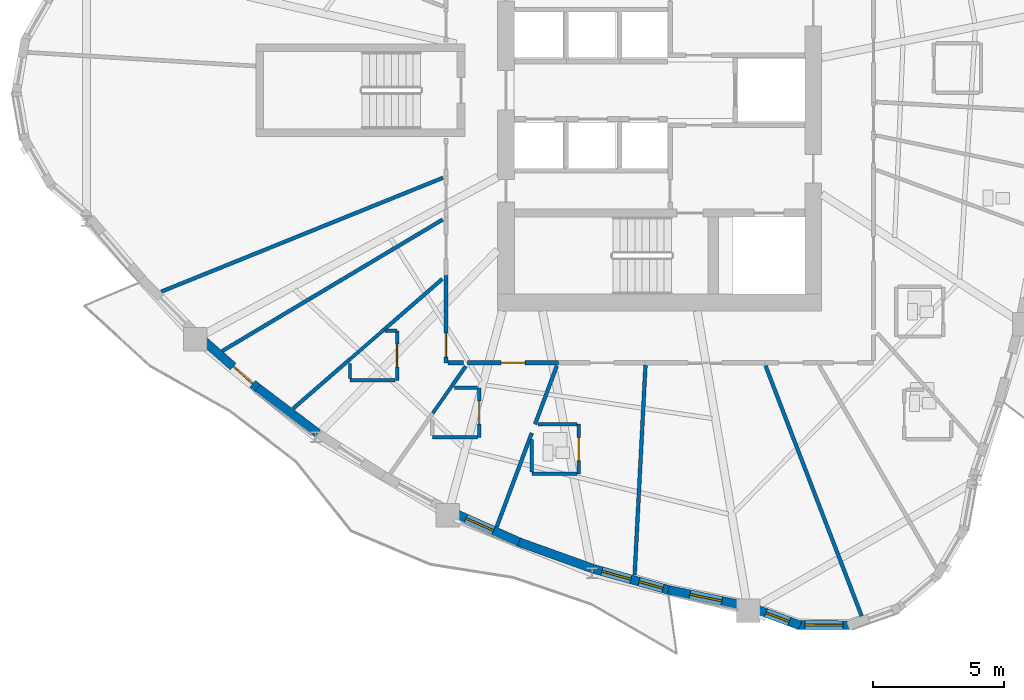
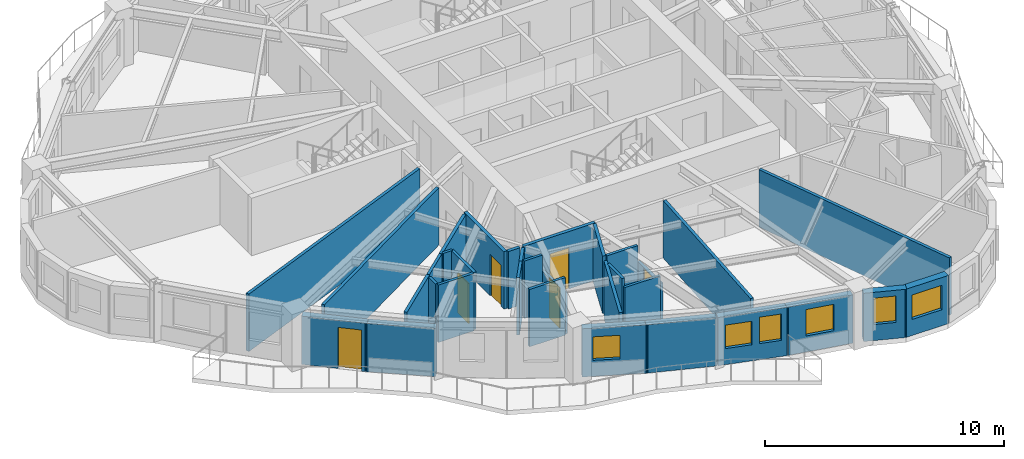
# One storey, part 3 of 13: 33 walls, 6 doors, 6 windows, 12 openings.
"""IFC4 building model written with IfcOpenShell, lengths in metres."""

from ifc_helpers import new_model, si_unit, direction, frame, frame_2d, origin, place, context, subcontext, project, spatial, rectangle, extrude, source, transform, mapped, material, layer, layer_set, type_object, element, fill, save


model = new_model("IFC4")

# Units and contexts
model_context = context("Model", 3, precision=1e-05, world=origin(), true_north=direction((0.0, 1.0)))
body_context = subcontext(model_context, "Body", "Model", "MODEL_VIEW")
ifc_project = project(units=[si_unit("LENGTHUNIT", "METRE"), si_unit("AREAUNIT", "SQUARE_METRE"), si_unit("VOLUMEUNIT", "CUBIC_METRE"), si_unit("PLANEANGLEUNIT", "RADIAN"), si_unit("MASSUNIT", "GRAM", prefix="KILO")], contexts=[model_context])

# Site, building, storey
site_placement = place(None, origin())
site = spatial("IfcSite", under=ifc_project, at=site_placement, CompositionType="ELEMENT")
building_placement = place(site_placement, origin())
building = spatial("IfcBuilding", under=site, at=building_placement, Name="Qafzar Sky-Pleat Residences", CompositionType="ELEMENT")
storey_placement = place(building_placement, frame((0.0, 0.0, 105.60009765625)))
storey = spatial("IfcBuildingStorey", under=building, at=storey_placement, Name="L31", CompositionType="ELEMENT", Elevation=105.60009765625)

# Wall, opening, door
ifc_material_1 = material(Name="Acoustic gypsum plasterboard partition", Category="gypsum")
ifc_layer_1 = layer(ifc_material_1, 0.159912109375)
ifc_layer_set_1 = layer_set([ifc_layer_1], Name="Acoustic gypsum plasterboard partition")
wall_type_1 = type_object("IfcWallType", Name="PART-COR-160", PredefinedType="PARTITIONING", material=ifc_layer_set_1)
wall_1_placement = place(storey_placement, frame((26.472900390625, 15.570068359375, 0.0), z_axis=(0.0, 0.0, 1.0), x_axis=(-1.0, 0.0, 0.0)))
wall_1 = element("IfcWall", 1, at=wall_1_placement, inside=storey, type_object=wall_type_1, Name="L31 Partition Wall PART-L31-PW-008", PredefinedType="PARTITIONING", context=body_context, shape_type="SweptSolid", body=[
    extrude(rectangle(XDim=3.469970703125, YDim=0.159912109375, at=frame_2d((1.73486328125, 0.0))), origin(), (0.0, 0.0, 1.0), 2.934814453125),
])
opening_1_placement = place(wall_1_placement, frame((1.27392578125, 0.0, 0.0)))
opening_1 = element("IfcOpeningElement", 2, at=opening_1_placement, cuts=wall_1, Name="Opening ID-04", PredefinedType="OPENING", context=body_context, shape_type="SweptSolid", body=[
    extrude(rectangle(XDim=0.919921875, YDim=2.10009765625, at=frame_2d((0.4599609375, 1.050048828125))), frame((0.0, 0.08984375, 0.0), z_axis=(0.0, -1.0, 0.0), x_axis=(1.0, 0.0, 0.0)), (0.0, 0.0, 1.0), 0.179931640625),
])
ifc_material_2 = material(Name="Timber-faced fire door", Category="wood")
door_type_1 = type_object("IfcDoorType", Name="DR-BED-920", OperationType="NOTDEFINED", PredefinedType="DOOR", material=ifc_material_2)
shared_shape_1 = source(origin(), body_context, "Body", "SweptSolid", [
    extrude(rectangle(XDim=0.919921875, YDim=2.10009765625, at=frame_2d((0.4599609375, 1.050048828125))), frame((0.0, 0.02490234375, 0.0), z_axis=(0.0, -1.0, 0.0), x_axis=(1.0, 0.0, 0.0)), (0.0, 0.0, 1.0), 0.050048828125),
])
door_1_placement = place(opening_1_placement, origin())
door_1 = element("IfcDoor", 3, at=door_1_placement, inside=storey, type_object=door_type_1, Name="L31 Co-Living Bedroom 14 Door", OperationType="SINGLE_SWING_LEFT", OverallHeight=2.10009765625, OverallWidth=0.919921875, PredefinedType="DOOR", context=body_context, shape_type="MappedRepresentation", body=[
    mapped(shared_shape_1, transform((0.0, 0.0, 0.0), x_axis=(1.0, 0.0, 0.0), y_axis=(0.0, 1.0, 0.0), z_axis=(0.0, 0.0, 1.0), scale=1.0)),
])
fill(opening_1, door_1)

wall_2_placement = place(storey_placement, frame((22.169921875, 15.570068359375, 0.0), z_axis=(0.0, 0.0, 1.0), x_axis=(0.0, 1.0, 0.0)))
wall_2 = element("IfcWall", 4, at=wall_2_placement, inside=storey, type_object=wall_type_1, Name="L31 Partition Wall PART-L31-PW-009", PredefinedType="PARTITIONING", context=body_context, shape_type="SweptSolid", body=[
    extrude(rectangle(XDim=3.345947265625, YDim=0.159912109375, at=frame_2d((1.6728515625, 0.0))), origin(), (0.0, 0.0, 1.0), 2.934814453125),
])
opening_2_placement = place(wall_2_placement, frame((0.219970703125, 0.0, 0.0)))
opening_2 = element("IfcOpeningElement", 5, at=opening_2_placement, cuts=wall_2, Name="Opening ID-04", PredefinedType="OPENING", context=body_context, shape_type="SweptSolid", body=[
    extrude(rectangle(XDim=0.919921875, YDim=2.10009765625, at=frame_2d((0.4599609375, 1.050048828125))), frame((0.0, 0.08984375, 0.0), z_axis=(0.0, -1.0, 0.0), x_axis=(1.0, 0.0, 0.0)), (0.0, 0.0, 1.0), 0.179931640625),
])
door_2_placement = place(opening_2_placement, origin())
door_2 = element("IfcDoor", 6, at=door_2_placement, inside=storey, type_object=door_type_1, Name="L31 Co-Living Bedroom 13 Door", OperationType="SINGLE_SWING_RIGHT", OverallHeight=2.10009765625, OverallWidth=0.919921875, PredefinedType="DOOR", context=body_context, shape_type="MappedRepresentation", body=[
    mapped(shared_shape_1, transform((0.0, 0.0, 0.0), x_axis=(1.0, 0.0, 0.0), y_axis=(0.0, 1.0, 0.0), z_axis=(0.0, 0.0, 1.0), scale=1.0)),
])
fill(opening_2, door_2)

# Walls
wall_3_placement = place(storey_placement, frame((22.258056640625, 15.570068359375, 0.0), z_axis=(0.0, 0.0, 1.0), x_axis=(1.0, 0.0, 0.0)))
element("IfcWall", 7, at=wall_3_placement, inside=storey, type_object=wall_type_1, Name="L31 Partition Wall PART-L31-PW-086", PredefinedType="PARTITIONING", context=body_context, shape_type="SweptSolid", body=[
    extrude(rectangle(XDim=0.5771484375, YDim=0.159912109375, at=frame_2d((0.28857421875, 0.0))), origin(), (0.0, 0.0, 1.0), 2.934814453125),
])
ifc_layer_2 = layer(ifc_material_1, 0.14501953125)
ifc_layer_set_2 = layer_set([ifc_layer_2], Name="Acoustic gypsum plasterboard partition")
wall_type_2 = type_object("IfcWallType", Name="PART-UNIT-145", PredefinedType="PARTITIONING", material=ifc_layer_set_2)
wall_4_placement = place(storey_placement, frame((11.2802734375, 18.293701171875, 0.0), z_axis=(0.0, 0.0, 1.0), x_axis=(0.927137862507, 0.374720407645, 0.0)))
element("IfcWall", 8, at=wall_4_placement, inside=storey, type_object=wall_type_2, Name="L31 Partition Wall PART-L31-PW-032", PredefinedType="PARTITIONING", context=body_context, shape_type="SweptSolid", body=[
    extrude(rectangle(XDim=11.621826171875, YDim=0.14501953125, at=frame_2d((5.81103515625, 0.0))), origin(), (0.0, 0.0, 1.0), 2.934814453125),
])
wall_5_placement = place(storey_placement, frame((34.399658203125, 15.45654296875, 0.0), z_axis=(0.0, 0.0, 1.0), x_axis=(0.358586620169, -0.933496457324, 0.0)))
element("IfcWall", 9, at=wall_5_placement, inside=storey, type_object=wall_type_2, Name="L31 Partition Wall PART-L31-PW-034", PredefinedType="PARTITIONING", context=body_context, shape_type="SweptSolid", body=[
    extrude(rectangle(XDim=10.255615234375, YDim=0.14501953125, at=frame_2d((5.1279296875, 0.0))), origin(), (0.0, 0.0, 1.0), 2.934814453125),
])
wall_6_placement = place(storey_placement, frame((13.621826171875, 16.0283203125, 0.0), z_axis=(0.0, 0.0, 1.0), x_axis=(0.85896108151, 0.512040877716, 0.0)))
element("IfcWall", 10, at=wall_6_placement, inside=storey, type_object=wall_type_2, Name="L31 Partition Wall PART-L31-PW-035", PredefinedType="PARTITIONING", context=body_context, shape_type="SweptSolid", body=[
    extrude(rectangle(XDim=9.807373046875, YDim=0.14501953125, at=frame_2d((4.90380859375, 0.0))), origin(), (0.0, 0.0, 1.0), 2.934814453125),
])
wall_7_placement = place(storey_placement, frame((29.390869140625, 7.4482421875, 0.0), z_axis=(0.0, 0.0, 1.0), x_axis=(0.051677535725, 0.998663823467, 0.0)))
element("IfcWall", 11, at=wall_7_placement, inside=storey, type_object=wall_type_2, Name="L31 Partition Wall PART-L31-PW-040", PredefinedType="PARTITIONING", context=body_context, shape_type="SweptSolid", body=[
    extrude(rectangle(XDim=8.040771484375, YDim=0.14501953125, at=frame_2d((4.0205078125, 0.0))), origin(), (0.0, 0.0, 1.0), 2.934814453125),
])
wall_8_placement = place(storey_placement, frame((24.114990234375, 9.294189453125, 0.0), z_axis=(0.0, 0.0, 1.0), x_axis=(0.349559649022, 0.936914111205, 0.0)))
element("IfcWall", 12, at=wall_8_placement, inside=storey, type_object=wall_type_2, Name="L31 Partition Wall PART-L31-PW-049", PredefinedType="PARTITIONING", context=body_context, shape_type="SweptSolid", body=[
    extrude(rectangle(XDim=3.833740234375, YDim=0.14501953125, at=frame_2d((1.9169921875, 0.0))), origin(), (0.0, 0.0, 1.0), 2.934814453125),
])
wall_9_placement = place(storey_placement, frame((19.736083984375, 16.781982421875, 0.0), z_axis=(0.0, 0.0, 1.0), x_axis=(0.754964216329, 0.655765988796, 0.0)))
element("IfcWall", 13, at=wall_9_placement, inside=storey, type_object=wall_type_2, Name="L31 Partition Wall PART-L31-PW-050", PredefinedType="PARTITIONING", context=body_context, shape_type="SweptSolid", body=[
    extrude(rectangle(XDim=3.046875, YDim=0.14501953125, at=frame_2d((1.5234375, 0.0))), origin(), (0.0, 0.0, 1.0), 2.934814453125),
])
wall_10_placement = place(storey_placement, frame((16.330322265625, 13.823974609375, 0.0), z_axis=(0.0, 0.0, 1.0), x_axis=(0.754843145593, 0.655905348013, 0.0)))
element("IfcWall", 14, at=wall_10_placement, inside=storey, type_object=wall_type_2, Name="L31 Partition Wall PART-L31-PW-053", PredefinedType="PARTITIONING", context=body_context, shape_type="SweptSolid", body=[
    extrude(rectangle(XDim=2.89697265625, YDim=0.14501953125, at=frame_2d((1.448486328125, 0.0))), origin(), (0.0, 0.0, 1.0), 2.934814453125),
])
wall_11_placement = place(storey_placement, frame((25.5810546875, 13.222900390625, 0.0), z_axis=(0.0, 0.0, 1.0), x_axis=(0.349597225683, 0.936900090615, 0.0)))
element("IfcWall", 15, at=wall_11_placement, inside=storey, type_object=wall_type_2, Name="L31 Partition Wall PART-L31-PW-055", PredefinedType="PARTITIONING", context=body_context, shape_type="SweptSolid", body=[
    extrude(rectangle(XDim=2.384765625, YDim=0.14501953125, at=frame_2d((1.1923828125, 0.0))), origin(), (0.0, 0.0, 1.0), 2.934814453125),
])
wall_12_placement = place(storey_placement, frame((22.36962890625, 14.643310546875, 0.0), z_axis=(0.0, 0.0, 1.0), x_axis=(0.575022445487, 0.818137633401, 0.0)))
element("IfcWall", 16, at=wall_12_placement, inside=storey, type_object=wall_type_2, Name="L31 Partition Wall PART-L31-PW-081", PredefinedType="PARTITIONING", context=body_context, shape_type="SweptSolid", body=[
    extrude(rectangle(XDim=0.97607421875, YDim=0.14501953125, at=frame_2d((0.488037109375, 0.0))), origin(), (0.0, 0.0, 1.0), 2.934814453125),
])

# Wall, opening, door
ifc_material_3 = material(Name="Moisture-resistant gypsum partition", Category="gypsum")
ifc_layer_3 = layer(ifc_material_3, 0.1298828125)
ifc_layer_set_3 = layer_set([ifc_layer_3], Name="Moisture-resistant gypsum partition")
wall_type_3 = type_object("IfcWallType", Name="PART-WET-130", PredefinedType="PARTITIONING", material=ifc_layer_set_3)
wall_13_placement = place(storey_placement, frame((27.2548828125, 11.322998046875, 0.0), z_axis=(0.0, 0.0, 1.0), x_axis=(0.0, 1.0, 0.0)))
wall_13 = element("IfcWall", 17, at=wall_13_placement, inside=storey, type_object=wall_type_3, Name="L31 Partition Wall PART-L31-PW-016", PredefinedType="PARTITIONING", context=body_context, shape_type="SweptSolid", body=[
    extrude(rectangle(XDim=1.89990234375, YDim=0.1298828125, at=frame_2d((0.949951171875, 0.0))), origin(), (0.0, 0.0, 1.0), 2.102783203125),
])
opening_3_placement = place(wall_13_placement, frame((0.510009765625, 0.0, 0.0)))
opening_3 = element("IfcOpeningElement", 18, at=opening_3_placement, cuts=wall_13, Name="Opening ID-07", PredefinedType="OPENING", context=body_context, shape_type="SweptSolid", body=[
    extrude(rectangle(XDim=0.8798828125, YDim=2.050048828125, at=frame_2d((0.43994140625, 1.02490234375))), frame((0.0, 0.074951171875, 0.0), z_axis=(0.0, -1.0, 0.0), x_axis=(1.0, 0.0, 0.0)), (0.0, 0.0, 1.0), 0.14990234375),
])
door_type_2 = type_object("IfcDoorType", Name="DR-WET-880", OperationType="NOTDEFINED", PredefinedType="DOOR", material=ifc_material_2)
shared_shape_2 = source(origin(), body_context, "Body", "SweptSolid", [
    extrude(rectangle(XDim=0.8798828125, YDim=2.050048828125, at=frame_2d((0.43994140625, 1.02490234375))), frame((0.0, 0.02490234375, 0.0), z_axis=(0.0, -1.0, 0.0), x_axis=(1.0, 0.0, 0.0)), (0.0, 0.0, 1.0), 0.050048828125),
])
door_3_placement = place(opening_3_placement, origin())
door_3 = element("IfcDoor", 19, at=door_3_placement, inside=storey, type_object=door_type_2, Name="L31 En-suite Bathroom 1 Door", OperationType="SINGLE_SWING_LEFT", OverallHeight=2.050048828125, OverallWidth=0.8798828125, PredefinedType="DOOR", context=body_context, shape_type="MappedRepresentation", body=[
    mapped(shared_shape_2, transform((0.0, 0.0, 0.0), x_axis=(1.0, 0.0, 0.0), y_axis=(0.0, 1.0, 0.0), z_axis=(0.0, 0.0, 1.0), scale=1.0)),
])
fill(opening_3, door_3)

wall_14_placement = place(storey_placement, frame((20.302001953125, 14.89697265625, 0.0), z_axis=(0.0, 0.0, 1.0), x_axis=(0.0, 1.0, 0.0)))
wall_14 = element("IfcWall", 20, at=wall_14_placement, inside=storey, type_object=wall_type_3, Name="L31 Partition Wall PART-L31-PW-017", PredefinedType="PARTITIONING", context=body_context, shape_type="SweptSolid", body=[
    extrude(rectangle(XDim=1.900146484375, YDim=0.1298828125, at=frame_2d((0.9501953125, 0.0))), origin(), (0.0, 0.0, 1.0), 2.934814453125),
])
opening_4_placement = place(wall_14_placement, frame((0.510009765625, 0.0, 0.0)))
opening_4 = element("IfcOpeningElement", 21, at=opening_4_placement, cuts=wall_14, Name="Opening ID-07", PredefinedType="OPENING", context=body_context, shape_type="SweptSolid", body=[
    extrude(rectangle(XDim=0.8798828125, YDim=2.050048828125, at=frame_2d((0.43994140625, 1.02490234375))), frame((0.0, 0.074951171875, 0.0), z_axis=(0.0, -1.0, 0.0), x_axis=(1.0, 0.0, 0.0)), (0.0, 0.0, 1.0), 0.14990234375),
])
door_4_placement = place(opening_4_placement, origin())
door_4 = element("IfcDoor", 22, at=door_4_placement, inside=storey, type_object=door_type_2, Name="L31 En-suite Bathroom 13 Door", OperationType="SINGLE_SWING_RIGHT", OverallHeight=2.050048828125, OverallWidth=0.8798828125, PredefinedType="DOOR", context=body_context, shape_type="MappedRepresentation", body=[
    mapped(shared_shape_2, transform((0.0, 0.0, 0.0), x_axis=(1.0, 0.0, 0.0), y_axis=(0.0, 1.0, 0.0), z_axis=(0.0, 0.0, 1.0), scale=1.0)),
])
fill(opening_4, door_4)

wall_15_placement = place(storey_placement, frame((23.447998046875, 12.716064453125, 0.0), z_axis=(0.0, 0.0, 1.0), x_axis=(0.0, 1.0, 0.0)))
wall_15 = element("IfcWall", 23, at=wall_15_placement, inside=storey, type_object=wall_type_3, Name="L31 Partition Wall PART-L31-PW-018", PredefinedType="PARTITIONING", context=body_context, shape_type="SweptSolid", body=[
    extrude(rectangle(XDim=1.89990234375, YDim=0.1298828125, at=frame_2d((0.949951171875, 0.0))), origin(), (0.0, 0.0, 1.0), 2.102783203125),
])
opening_5_placement = place(wall_15_placement, frame((0.510009765625, 0.0, 0.0)))
opening_5 = element("IfcOpeningElement", 24, at=opening_5_placement, cuts=wall_15, Name="Opening ID-07", PredefinedType="OPENING", context=body_context, shape_type="SweptSolid", body=[
    extrude(rectangle(XDim=0.8798828125, YDim=2.050048828125, at=frame_2d((0.43994140625, 1.02490234375))), frame((0.0, 0.074951171875, 0.0), z_axis=(0.0, -1.0, 0.0), x_axis=(1.0, 0.0, 0.0)), (0.0, 0.0, 1.0), 0.14990234375),
])
door_5_placement = place(opening_5_placement, origin())
door_5 = element("IfcDoor", 25, at=door_5_placement, inside=storey, type_object=door_type_2, Name="L31 En-suite Bathroom 14 Door", OperationType="SINGLE_SWING_LEFT", OverallHeight=2.050048828125, OverallWidth=0.8798828125, PredefinedType="DOOR", context=body_context, shape_type="MappedRepresentation", body=[
    mapped(shared_shape_2, transform((0.0, 0.0, 0.0), x_axis=(1.0, 0.0, 0.0), y_axis=(0.0, 1.0, 0.0), z_axis=(0.0, 0.0, 1.0), scale=1.0)),
])
fill(opening_5, door_5)

# Walls
wall_16_placement = place(storey_placement, frame((25.455078125, 11.322998046875, 0.0), z_axis=(0.0, 0.0, 1.0), x_axis=(1.0, 0.0, 0.0)))
element("IfcWall", 26, at=wall_16_placement, inside=storey, type_object=wall_type_3, Name="L31 Partition Wall PART-L31-PW-063", PredefinedType="PARTITIONING", context=body_context, shape_type="SweptSolid", body=[
    extrude(rectangle(XDim=1.726806640625, YDim=0.1298828125, at=frame_2d((0.86328125, 0.0))), origin(), (0.0, 0.0, 1.0), 2.54296875),
])
for number, where, z_axis, x_axis, name in (
    (27, (18.501953125, 14.89697265625, 0.0), (0.0, 0.0, 1.0), (1.0, 0.0, 0.0), "L31 Partition Wall PART-L31-PW-066"),
    (28, (21.64794921875, 12.716064453125, 0.0), (0.0, 0.0, 1.0), (1.0, 0.0, 0.0), "L31 Partition Wall PART-L31-PW-067"),
):
    element("IfcWall", number, at=place(storey_placement, frame(where, z_axis=z_axis, x_axis=x_axis)), inside=storey, type_object=wall_type_3, Name=name, PredefinedType="PARTITIONING", context=body_context, shape_type="SweptSolid", body=[
        extrude(rectangle(XDim=1.72705078125, YDim=0.1298828125, at=frame_2d((0.863525390625, 0.0))), origin(), (0.0, 0.0, 1.0), 2.934814453125),
    ])
wall_17_placement = place(storey_placement, frame((25.690673828125, 13.222900390625, 0.0), z_axis=(0.0, 0.0, 1.0), x_axis=(1.0, 0.0, 0.0)))
element("IfcWall", 29, at=wall_17_placement, inside=storey, type_object=wall_type_3, Name="L31 Partition Wall PART-L31-PW-071", PredefinedType="PARTITIONING", context=body_context, shape_type="SweptSolid", body=[
    extrude(rectangle(XDim=1.4912109375, YDim=0.1298828125, at=frame_2d((0.74560546875, 0.0))), origin(), (0.0, 0.0, 1.0), 2.934814453125),
])
wall_18_placement = place(storey_placement, frame((18.5283203125, 15.73388671875, 0.0), z_axis=(0.0, 0.0, 1.0), x_axis=(0.755063236967, 0.655651971843, 0.0)))
element("IfcWall", 30, at=wall_18_placement, inside=storey, type_object=wall_type_3, Name="L31 Partition Wall PART-L31-PW-073", PredefinedType="PARTITIONING", context=body_context, shape_type="SweptSolid", body=[
    extrude(rectangle(XDim=1.583984375, YDim=0.1298828125, at=frame_2d((0.7919921875, 0.0))), origin(), (0.0, 0.0, 1.0), 2.934814453125),
])
wall_19_placement = place(storey_placement, frame((25.455078125, 11.39599609375, 0.0), z_axis=(0.0, 0.0, 1.0), x_axis=(0.0, 1.0, 0.0)))
element("IfcWall", 31, at=wall_19_placement, inside=storey, type_object=wall_type_3, Name="L31 Partition Wall PART-L31-PW-075", PredefinedType="PARTITIONING", context=body_context, shape_type="SweptSolid", body=[
    extrude(rectangle(XDim=1.25, YDim=0.1298828125, at=frame_2d((0.625, 0.0))), origin(), (0.0, 0.0, 1.0), 2.934814453125),
])
wall_20_placement = place(storey_placement, frame((21.67138671875, 13.6494140625, 0.0), z_axis=(0.0, 0.0, 1.0), x_axis=(0.574868196693, 0.81824602439, 0.0)))
element("IfcWall", 32, at=wall_20_placement, inside=storey, type_object=wall_type_3, Name="L31 Partition Wall PART-L31-PW-079", PredefinedType="PARTITIONING", context=body_context, shape_type="SweptSolid", body=[
    extrude(rectangle(XDim=1.19970703125, YDim=0.1298828125, at=frame_2d((0.599853515625, 0.0))), origin(), (0.0, 0.0, 1.0), 2.934814453125),
])
wall_21_placement = place(storey_placement, frame((22.493408203125, 14.615966796875, 0.0), z_axis=(0.0, 0.0, 1.0), x_axis=(1.0, 0.0, 0.0)))
element("IfcWall", 33, at=wall_21_placement, inside=storey, type_object=wall_type_3, Name="L31 Partition Wall PART-L31-PW-082", PredefinedType="PARTITIONING", context=body_context, shape_type="SweptSolid", body=[
    extrude(rectangle(XDim=0.881591796875, YDim=0.1298828125, at=frame_2d((0.44091796875, 0.0))), origin(), (0.0, 0.0, 1.0), 2.934814453125),
])
wall_22_placement = place(storey_placement, frame((18.501953125, 14.969970703125, 0.0), z_axis=(0.0, 0.0, 1.0), x_axis=(0.0, 1.0, 0.0)))
element("IfcWall", 34, at=wall_22_placement, inside=storey, type_object=wall_type_3, Name="L31 Partition Wall PART-L31-PW-087", PredefinedType="PARTITIONING", context=body_context, shape_type="SweptSolid", body=[
    extrude(rectangle(XDim=0.58056640625, YDim=0.1298828125, at=frame_2d((0.290283203125, 0.0))), origin(), (0.0, 0.0, 1.0), 2.934814453125),
])
wall_23_placement = place(storey_placement, frame((19.843017578125, 16.797119140625, 0.0), z_axis=(0.0, 0.0, 1.0), x_axis=(1.0, 0.0, 0.0)))
element("IfcWall", 35, at=wall_23_placement, inside=storey, type_object=wall_type_3, Name="L31 Partition Wall PART-L31-PW-088", PredefinedType="PARTITIONING", context=body_context, shape_type="SweptSolid", body=[
    extrude(rectangle(XDim=0.458984375, YDim=0.1298828125, at=frame_2d((0.2294921875, 0.0))), origin(), (0.0, 0.0, 1.0), 2.934814453125),
])

# Wall, opening, door
ifc_material_4 = material(Name="Precast concrete C40/50 with honed Riyadh limestone", Category="concrete")
ifc_layer_4 = layer(ifc_material_4, 0.340087890625)
ifc_layer_set_4 = layer_set([ifc_layer_4], Name="Precast concrete C40/50 with honed Riyadh limestone")
wall_type_4 = type_object("IfcWallType", Name="WALL-EXT-340", PredefinedType="SOLIDWALL", material=ifc_layer_set_4)
wall_24_placement = place(storey_placement, frame((12.859619140625, 16.4560546875, 0.0), z_axis=(0.0, 0.0, 1.0), x_axis=(0.751500349331, -0.659732692047, 0.0)))
wall_24 = element("IfcWall", 36, at=wall_24_placement, inside=storey, type_object=wall_type_4, Name="L31 Limestone Facade Wall 9", PredefinedType="SOLIDWALL", context=body_context, shape_type="SweptSolid", body=[
    extrude(rectangle(XDim=2.798828125, YDim=0.340087890625, at=frame_2d((1.3994140625, 0.0))), origin(), (0.0, 0.0, 1.0), 2.46484375),
])
opening_6_placement = place(wall_24_placement, frame((1.558837890625, 0.0, 0.0)))
opening_6 = element("IfcOpeningElement", 37, at=opening_6_placement, cuts=wall_24, Name="Opening ED-05", PredefinedType="OPENING", context=body_context, shape_type="SweptSolid", body=[
    extrude(rectangle(XDim=1.0, YDim=2.10009765625, at=frame_2d((0.5, 1.050048828125))), frame((0.0, 0.18017578125, 0.0), z_axis=(0.0, -1.0, 0.0), x_axis=(1.0, 0.0, 0.0)), (0.0, 0.0, 1.0), 0.360107421875),
])
ifc_material_5 = material(Name="Glazed bronze aluminium door", Category="aluminium")
door_type_3 = type_object("IfcDoorType", Name="DR-BAL-1000", OperationType="NOTDEFINED", PredefinedType="DOOR", material=ifc_material_5)
shared_shape_3 = source(origin(), body_context, "Body", "SweptSolid", [
    extrude(rectangle(XDim=1.0, YDim=2.10009765625, at=frame_2d((0.5, 1.050048828125))), frame((0.0, 0.02490234375, 0.0), z_axis=(0.0, -1.0, 0.0), x_axis=(1.0, 0.0, 0.0)), (0.0, 0.0, 1.0), 0.050048828125),
])
door_6_placement = place(opening_6_placement, origin())
door_6 = element("IfcDoor", 38, at=door_6_placement, inside=storey, type_object=door_type_3, Name="L31 Glazed Balcony Door 3", OperationType="SINGLE_SWING_LEFT", OverallHeight=2.10009765625, OverallWidth=1.0, PredefinedType="DOOR", context=body_context, shape_type="MappedRepresentation", body=[
    mapped(shared_shape_3, transform((0.0, 0.0, 0.0), x_axis=(1.0, 0.0, 0.0), y_axis=(0.0, 1.0, 0.0), z_axis=(0.0, 0.0, 1.0), scale=1.0)),
])
fill(opening_6, door_6)

# Wall
wall_25_placement = place(storey_placement, frame((14.894287109375, 14.665283203125, 0.0), z_axis=(0.0, 0.0, 1.0), x_axis=(0.798431756537, -0.602085318001, 0.0)))
element("IfcWall", 39, at=wall_25_placement, inside=storey, type_object=wall_type_4, Name="L31 Limestone Facade Wall 10", PredefinedType="SOLIDWALL", context=body_context, shape_type="SweptSolid", body=[
    extrude(rectangle(XDim=2.9755859375, YDim=0.340087890625, at=frame_2d((1.48779296875, 0.0))), origin(), (0.0, 0.0, 1.0), 2.46484375),
])

# Wall, opening, window
wall_26_placement = place(storey_placement, frame((22.525146484375, 9.802978515625, 0.0), z_axis=(0.0, 0.0, 1.0), x_axis=(0.913407022137, -0.407047432016, 0.0)))
wall_26 = element("IfcWall", 40, at=wall_26_placement, inside=storey, type_object=wall_type_4, Name="L31 Limestone Facade Wall 13", PredefinedType="SOLIDWALL", context=body_context, shape_type="SweptSolid", body=[
    extrude(rectangle(XDim=2.765625, YDim=0.340087890625, at=frame_2d((1.3828125, 0.0))), origin(), (0.0, 0.0, 1.0), 2.46484375),
])
opening_7_placement = place(wall_26_placement, frame((0.449951171875, 0.0, 0.820068359375)))
opening_7 = element("IfcOpeningElement", 41, at=opening_7_placement, cuts=wall_26, Name="Opening WN-16", PredefinedType="OPENING", context=body_context, shape_type="SweptSolid", body=[
    extrude(rectangle(XDim=1.14990234375, YDim=1.199951171875, at=frame_2d((0.574951171875, 0.60009765625))), frame((0.0, 0.18017578125, 0.0), z_axis=(0.0, -1.0, 0.0), x_axis=(1.0, 0.0, 0.0)), (0.0, 0.0, 1.0), 0.360107421875),
])
ifc_material_6 = material(Name="Solar-control low-E glass in bronze aluminium frame", Category="glass")
window_type_1 = type_object("IfcWindowType", Name="WIN-16", PartitioningType="SINGLE_PANEL", PredefinedType="WINDOW", material=ifc_material_6)
shared_shape_4 = source(origin(), body_context, "Body", "SweptSolid", [
    extrude(rectangle(XDim=1.14990234375, YDim=1.199951171875, at=frame_2d((0.574951171875, 0.60009765625))), frame((0.0, 0.030029296875, 0.0), z_axis=(0.0, -1.0, 0.0), x_axis=(1.0, 0.0, 0.0)), (0.0, 0.0, 1.0), 0.06005859375),
])
window_1_placement = place(opening_7_placement, origin())
window_1 = element("IfcWindow", 42, at=window_1_placement, inside=storey, type_object=window_type_1, Name="L31 Punched Facade Window 13", OverallHeight=1.199951171875, OverallWidth=1.14990234375, PartitioningType="SINGLE_PANEL", PredefinedType="WINDOW", context=body_context, shape_type="MappedRepresentation", body=[
    mapped(shared_shape_4, transform((0.0, 0.0, 0.0), x_axis=(1.0, 0.0, 0.0), y_axis=(0.0, 1.0, 0.0), z_axis=(0.0, 0.0, 1.0), scale=1.0)),
])
fill(opening_7, window_1)

# Wall
wall_27_placement = place(storey_placement, frame((24.968994140625, 8.710205078125, 0.0), z_axis=(0.0, 0.0, 1.0), x_axis=(0.94111062187, -0.338098798287, 0.0)))
element("IfcWall", 43, at=wall_27_placement, inside=storey, type_object=wall_type_4, Name="L31 Limestone Facade Wall 14", PredefinedType="SOLIDWALL", context=body_context, shape_type="SweptSolid", body=[
    extrude(rectangle(XDim=3.009033203125, YDim=0.340087890625, at=frame_2d((1.50439453125, 0.0))), origin(), (0.0, 0.0, 1.0), 2.46484375),
])

# Wall, openings, windows
wall_28_placement = place(storey_placement, frame((27.8271484375, 7.684326171875, 0.0), z_axis=(0.0, 0.0, 1.0), x_axis=(0.963051015651, -0.269319032475, 0.0)))
wall_28 = element("IfcWall", 44, at=wall_28_placement, inside=storey, type_object=wall_type_4, Name="L31 Limestone Facade Wall 15", PredefinedType="SOLIDWALL", context=body_context, shape_type="SweptSolid", body=[
    extrude(rectangle(XDim=3.05859375, YDim=0.340087890625, at=frame_2d((1.529296875, 0.0))), origin(), (0.0, 0.0, 1.0), 2.46484375),
])
opening_8_placement = place(wall_28_placement, frame((0.323486328125, 0.0, 0.820068359375)))
opening_8 = element("IfcOpeningElement", 45, at=opening_8_placement, cuts=wall_28, Name="Opening WN-16", PredefinedType="OPENING", context=body_context, shape_type="SweptSolid", body=[
    extrude(rectangle(XDim=1.14990234375, YDim=1.199951171875, at=frame_2d((0.574951171875, 0.60009765625))), frame((0.0, 0.18017578125, 0.0), z_axis=(0.0, -1.0, 0.0), x_axis=(1.0, 0.0, 0.0)), (0.0, 0.0, 1.0), 0.360107421875),
])
opening_9_placement = place(wall_28_placement, frame((1.802978515625, 0.0, 0.820068359375)))
opening_9 = element("IfcOpeningElement", 46, at=opening_9_placement, cuts=wall_28, Name="Opening WN-12", PredefinedType="OPENING", context=body_context, shape_type="SweptSolid", body=[
    extrude(rectangle(XDim=0.949951171875, YDim=1.35009765625, at=frame_2d((0.47509765625, 0.675048828125))), frame((0.0, 0.18017578125, 0.0), z_axis=(0.0, -1.0, 0.0), x_axis=(1.0, 0.0, 0.0)), (0.0, 0.0, 1.0), 0.360107421875),
])
window_type_2 = type_object("IfcWindowType", Name="WIN-12", PartitioningType="SINGLE_PANEL", PredefinedType="WINDOW", material=ifc_material_6)
shared_shape_5 = source(origin(), body_context, "Body", "SweptSolid", [
    extrude(rectangle(XDim=0.949951171875, YDim=1.35009765625, at=frame_2d((0.47509765625, 0.675048828125))), frame((0.0, 0.030029296875, 0.0), z_axis=(0.0, -1.0, 0.0), x_axis=(1.0, 0.0, 0.0)), (0.0, 0.0, 1.0), 0.06005859375),
])
window_2_placement = place(opening_9_placement, origin())
window_2 = element("IfcWindow", 47, at=window_2_placement, inside=storey, type_object=window_type_2, Name="L31 Punched Facade Window 15-2", OverallHeight=1.35009765625, OverallWidth=0.949951171875, PartitioningType="SINGLE_PANEL", PredefinedType="WINDOW", context=body_context, shape_type="MappedRepresentation", body=[
    mapped(shared_shape_5, transform((0.0, 0.0, 0.0), x_axis=(1.0, 0.0, 0.0), y_axis=(0.0, 1.0, 0.0), z_axis=(0.0, 0.0, 1.0), scale=1.0)),
])
fill(opening_9, window_2)
window_3_placement = place(opening_8_placement, origin())
window_3 = element("IfcWindow", 48, at=window_3_placement, inside=storey, type_object=window_type_1, Name="L31 Punched Facade Window 15", OverallHeight=1.199951171875, OverallWidth=1.14990234375, PartitioningType="SINGLE_PANEL", PredefinedType="WINDOW", context=body_context, shape_type="MappedRepresentation", body=[
    mapped(shared_shape_4, transform((0.0, 0.0, 0.0), x_axis=(1.0, 0.0, 0.0), y_axis=(0.0, 1.0, 0.0), z_axis=(0.0, 0.0, 1.0), scale=1.0)),
])
fill(opening_8, window_3)

# Wall, opening, window
wall_29_placement = place(storey_placement, frame((30.687255859375, 6.881103515625, 0.0), z_axis=(0.0, 0.0, 1.0), x_axis=(0.979429773913, -0.201785326453, 0.0)))
wall_29 = element("IfcWall", 49, at=wall_29_placement, inside=storey, type_object=wall_type_4, Name="L31 Limestone Facade Wall 16", PredefinedType="SOLIDWALL", context=body_context, shape_type="SweptSolid", body=[
    extrude(rectangle(XDim=2.913330078125, YDim=0.340087890625, at=frame_2d((1.45654296875, 0.0))), origin(), (0.0, 0.0, 1.0), 2.46484375),
])
opening_10_placement = place(wall_29_placement, frame((0.836669921875, 0.0, 0.820068359375)))
opening_10 = element("IfcOpeningElement", 50, at=opening_10_placement, cuts=wall_29, Name="Opening WN-11", PredefinedType="OPENING", context=body_context, shape_type="SweptSolid", body=[
    extrude(rectangle(XDim=1.25, YDim=1.35009765625, at=frame_2d((0.625, 0.675048828125))), frame((0.0, 0.18017578125, 0.0), z_axis=(0.0, -1.0, 0.0), x_axis=(1.0, 0.0, 0.0)), (0.0, 0.0, 1.0), 0.360107421875),
])
window_type_3 = type_object("IfcWindowType", Name="WIN-11", PartitioningType="SINGLE_PANEL", PredefinedType="WINDOW", material=ifc_material_6)
shared_shape_6 = source(origin(), body_context, "Body", "SweptSolid", [
    extrude(rectangle(XDim=1.25, YDim=1.35009765625, at=frame_2d((0.625, 0.675048828125))), frame((0.0, 0.030029296875, 0.0), z_axis=(0.0, -1.0, 0.0), x_axis=(1.0, 0.0, 0.0)), (0.0, 0.0, 1.0), 0.06005859375),
])
window_4_placement = place(opening_10_placement, origin())
window_4 = element("IfcWindow", 51, at=window_4_placement, inside=storey, type_object=window_type_3, Name="L31 Punched Facade Window 16", OverallHeight=1.35009765625, OverallWidth=1.25, PartitioningType="SINGLE_PANEL", PredefinedType="WINDOW", context=body_context, shape_type="MappedRepresentation", body=[
    mapped(shared_shape_6, transform((0.0, 0.0, 0.0), x_axis=(1.0, 0.0, 0.0), y_axis=(0.0, 1.0, 0.0), z_axis=(0.0, 0.0, 1.0), scale=1.0)),
])
fill(opening_10, window_4)

wall_30_placement = place(storey_placement, frame((34.006591796875, 6.1591796875, 0.0), z_axis=(0.0, 0.0, 1.0), x_axis=(0.936815884802, -0.349822809409, 0.0)))
wall_30 = element("IfcWall", 52, at=wall_30_placement, inside=storey, type_object=wall_type_4, Name="L31 Limestone Facade Wall 17", PredefinedType="SOLIDWALL", context=body_context, shape_type="SweptSolid", body=[
    extrude(rectangle(XDim=1.831298828125, YDim=0.340087890625, at=frame_2d((0.91552734375, 0.0))), origin(), (0.0, 0.0, 1.0), 2.46484375),
])
opening_11_placement = place(wall_30_placement, frame((0.435546875, 0.0, 0.820068359375)))
opening_11 = element("IfcOpeningElement", 53, at=opening_11_placement, cuts=wall_30, Name="Opening WN-12", PredefinedType="OPENING", context=body_context, shape_type="SweptSolid", body=[
    extrude(rectangle(XDim=0.949951171875, YDim=1.35009765625, at=frame_2d((0.47509765625, 0.675048828125))), frame((0.0, 0.18017578125, 0.0), z_axis=(0.0, -1.0, 0.0), x_axis=(1.0, 0.0, 0.0)), (0.0, 0.0, 1.0), 0.360107421875),
])
window_5_placement = place(opening_11_placement, origin())
window_5 = element("IfcWindow", 54, at=window_5_placement, inside=storey, type_object=window_type_2, Name="L31 Punched Facade Window 17", OverallHeight=1.35009765625, OverallWidth=0.949951171875, PartitioningType="SINGLE_PANEL", PredefinedType="WINDOW", context=body_context, shape_type="MappedRepresentation", body=[
    mapped(shared_shape_5, transform((0.0, 0.0, 0.0), x_axis=(1.0, 0.0, 0.0), y_axis=(0.0, 1.0, 0.0), z_axis=(0.0, 0.0, 1.0), scale=1.0)),
])
fill(opening_11, window_5)

wall_31_placement = place(storey_placement, frame((35.590087890625, 5.54296875, 0.0), z_axis=(0.0, 0.0, 1.0), x_axis=(0.999976456891, -0.00686189939, 0.0)))
wall_31 = element("IfcWall", 55, at=wall_31_placement, inside=storey, type_object=wall_type_4, Name="L31 Limestone Facade Wall 18", PredefinedType="SOLIDWALL", context=body_context, shape_type="SweptSolid", body=[
    extrude(rectangle(XDim=2.09912109375, YDim=0.340087890625, at=frame_2d((1.049560546875, 0.0))), origin(), (0.0, 0.0, 1.0), 2.46484375),
])
opening_12_placement = place(wall_31_placement, frame((0.324462890625, 0.0, 0.820068359375)))
opening_12 = element("IfcOpeningElement", 56, at=opening_12_placement, cuts=wall_31, Name="Opening WN-15", PredefinedType="OPENING", context=body_context, shape_type="SweptSolid", body=[
    extrude(rectangle(XDim=1.449951171875, YDim=1.25, at=frame_2d((0.72509765625, 0.625))), frame((0.0, 0.18017578125, 0.0), z_axis=(0.0, -1.0, 0.0), x_axis=(1.0, 0.0, 0.0)), (0.0, 0.0, 1.0), 0.360107421875),
])
window_type_4 = type_object("IfcWindowType", Name="WIN-15", PartitioningType="SINGLE_PANEL", PredefinedType="WINDOW", material=ifc_material_6)
shared_shape_7 = source(origin(), body_context, "Body", "SweptSolid", [
    extrude(rectangle(XDim=1.449951171875, YDim=1.25, at=frame_2d((0.72509765625, 0.625))), frame((0.0, 0.030029296875, 0.0), z_axis=(0.0, -1.0, 0.0), x_axis=(1.0, 0.0, 0.0)), (0.0, 0.0, 1.0), 0.06005859375),
])
window_6_placement = place(opening_12_placement, origin())
window_6 = element("IfcWindow", 57, at=window_6_placement, inside=storey, type_object=window_type_4, Name="L31 Punched Facade Window 18", OverallHeight=1.25, OverallWidth=1.449951171875, PartitioningType="SINGLE_PANEL", PredefinedType="WINDOW", context=body_context, shape_type="MappedRepresentation", body=[
    mapped(shared_shape_7, transform((0.0, 0.0, 0.0), x_axis=(1.0, 0.0, 0.0), y_axis=(0.0, 1.0, 0.0), z_axis=(0.0, 0.0, 1.0), scale=1.0)),
])
fill(opening_12, window_6)

save(model, "model.ifc")
